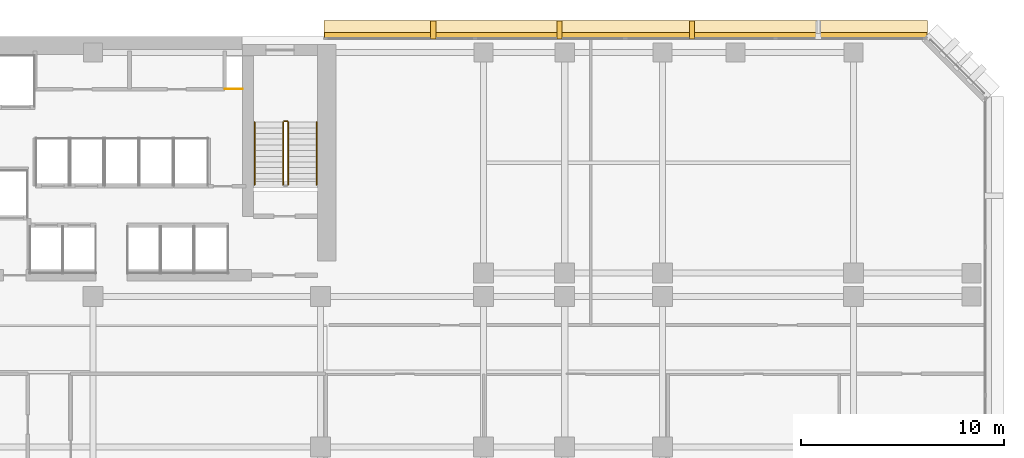
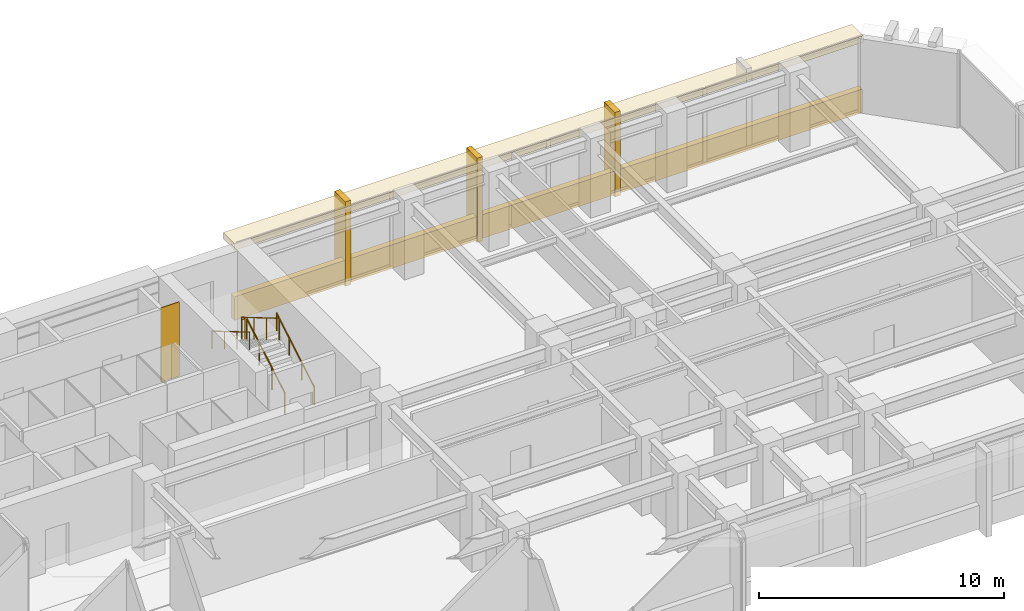
# One storey, part 12 of 13: 6 coverings, 5 railings.
"""IFC4 building model written with IfcOpenShell, lengths in metres."""

from ifc_helpers import new_model, si_unit, direction, frame, origin, origin_2d, place, context, subcontext, project, spatial, polyline, rectangle, circle, outline, extrude, material, layer, layer_set, type_object, element, save


model = new_model("IFC4")

# Units and contexts
model_context = context("Model", 3, precision=1e-05, world=origin(), true_north=direction((0.0, 1.0)))
body_context = subcontext(model_context, "Body", "Model", "MODEL_VIEW")
ifc_project = project(units=[si_unit("LENGTHUNIT", "METRE"), si_unit("AREAUNIT", "SQUARE_METRE"), si_unit("VOLUMEUNIT", "CUBIC_METRE"), si_unit("PLANEANGLEUNIT", "RADIAN"), si_unit("MASSUNIT", "GRAM", prefix="KILO")], contexts=[model_context])

# Site, building, storey
site_placement = place(None, origin())
site = spatial("IfcSite", under=ifc_project, at=site_placement, CompositionType="ELEMENT")
building_placement = place(site_placement, origin())
building = spatial("IfcBuilding", under=site, at=building_placement, Name="Kefirva Bronze Tower", CompositionType="ELEMENT")
storey_placement = place(building_placement, frame((0.0, 0.0, 54.1201171875)))
storey = spatial("IfcBuildingStorey", under=building, at=storey_placement, Name="L12", CompositionType="ELEMENT", Elevation=54.1201171875)

# Coverings
ifc_material_1 = material(Name="Bronze anodised aluminium", Category="aluminium")
ifc_layer_1 = layer(ifc_material_1, 0.02001953125, Name="Bronze anodised aluminium")
ifc_layer_set_1 = layer_set([ifc_layer_1], Name="Bronze anodised aluminium")
covering_type_1 = type_object("IfcCoveringType", Name="Anodised Bronze Spandrel Cladding 20mm", PredefinedType="CLADDING", material=ifc_layer_set_1)
covering_1_placement = place(storey_placement, frame((38.202392578125, 46.0400390625, -0.16015625), z_axis=(0.0, 0.0, 1.0), x_axis=(-1.0, 0.0, 0.0)))
element("IfcCovering", 1, at=covering_1_placement, inside=storey, type_object=covering_type_1, Name="L12 Streamline Horizontal Spandrel Band 8", PredefinedType="CLADDING", context=body_context, shape_type="SweptSolid", body=[
    extrude(rectangle(XDim=29.635009765625, YDim=0.280029296875, at=origin_2d()), origin(), (0.0, 0.0, 1.0), 1.179931640625),
])
covering_2_placement = place(storey_placement, origin())
element("IfcCovering", 2, at=covering_2_placement, inside=storey, type_object=covering_type_1, Name="L12 Core MEP Riser Shaft Liner South", PredefinedType="CLADDING", context=body_context, shape_type="SweptSolid", body=[
    extrude(outline(polyline([(18.47998046875, 43.39990234375), (19.360107421875, 43.39990234375), (19.360107421875, 43.429931640625), (18.47998046875, 43.429931640625), (18.47998046875, 43.39990234375)])), origin(), (0.0, 0.0, 1.0), 3.7099609375),
])

# Railings
ifc_material_2 = material(Name="Stainless steel 316", Category="steel")
railing_type_1 = type_object("IfcRailingType", Name="Interior Stair Guardrail 1100mm", PredefinedType="GUARDRAIL", material=ifc_material_2)
railing_1_placement = place(storey_placement, frame((21.60009765625, 38.699951171875, 0.164794921875)))
element("IfcRailing", 3, at=railing_1_placement, inside=storey, type_object=railing_type_1, Name="L12 ST-2 stair guard 1", PredefinedType="GUARDRAIL", context=body_context, shape_type="SweptSolid", body=[
    extrude(circle(Radius=0.02392578125, at=origin_2d()), frame((0.0, 0.0, 1.076171875), z_axis=(0.0, 0.861521393093, 0.507721271215), x_axis=(-1.0, 0.0, 0.0)), (0.0, 0.0, 1.0), 3.5751953125),
    extrude(circle(Radius=0.02099609375, at=origin_2d()), origin(), (0.0, 0.0, 1.0), 1.052001953125),
    extrude(circle(Radius=0.02099609375, at=origin_2d()), frame((0.0, 1.026611328125, 0.60498046875)), (0.0, 0.0, 1.0), 1.052001953125),
    extrude(circle(Radius=0.02099609375, at=origin_2d()), frame((0.0, 2.053466796875, 1.210205078125)), (0.0, 0.0, 1.0), 1.052001953125),
    extrude(circle(Radius=0.02099609375, at=origin_2d()), frame((0.0, 3.080078125, 1.815185546875)), (0.0, 0.0, 1.0), 1.052001953125),
])
railing_2_placement = place(storey_placement, frame((21.550048828125, 41.830078125, 1.97998046875)))
element("IfcRailing", 4, at=railing_2_placement, inside=storey, type_object=railing_type_1, Name="L12 ST-2 stair guard 2", PredefinedType="GUARDRAIL", context=body_context, shape_type="SweptSolid", body=[
    extrude(circle(Radius=0.02392578125, at=origin_2d()), frame((0.0, 0.0, 1.076171875), z_axis=(-1.0, 0.0, 0.0), x_axis=(0.0, -1.0, 0.0)), (0.0, 0.0, 1.0), 0.150146484375),
    extrude(circle(Radius=0.02099609375, at=origin_2d()), origin(), (0.0, 0.0, 1.0), 1.052001953125),
    extrude(circle(Radius=0.02099609375, at=origin_2d()), frame((-0.150146484375, 0.0, 0.0)), (0.0, 0.0, 1.0), 1.052001953125),
])
railing_3_placement = place(storey_placement, frame((21.35009765625, 41.780029296875, 2.144775390625)))
element("IfcRailing", 5, at=railing_3_placement, inside=storey, type_object=railing_type_1, Name="L12 ST-2 stair guard 3", PredefinedType="GUARDRAIL", context=body_context, shape_type="SweptSolid", body=[
    extrude(circle(Radius=0.02392578125, at=origin_2d()), frame((0.0, 0.0, 1.076171875), z_axis=(0.0, -0.861521393093, 0.507721271215), x_axis=(1.0, 0.0, 0.0)), (0.0, 0.0, 1.0), 3.5751953125),
    extrude(circle(Radius=0.02099609375, at=origin_2d()), origin(), (0.0, 0.0, 1.0), 1.052001953125),
    extrude(circle(Radius=0.02099609375, at=origin_2d()), frame((0.0, -1.026611328125, 0.60498046875)), (0.0, 0.0, 1.0), 1.052001953125),
    extrude(circle(Radius=0.02099609375, at=origin_2d()), frame((0.0, -2.053466796875, 1.210205078125)), (0.0, 0.0, 1.0), 1.052001953125),
    extrude(circle(Radius=0.02099609375, at=origin_2d()), frame((0.0, -3.080078125, 1.815185546875)), (0.0, 0.0, 1.0), 1.052001953125),
])
railing_type_2 = type_object("IfcRailingType", Name="Stair Pitch Handrail 900mm", PredefinedType="HANDRAIL", material=ifc_material_2)
railing_4_placement = place(storey_placement, frame((23.0, 38.699951171875, 0.164794921875)))
element("IfcRailing", 6, at=railing_4_placement, inside=storey, type_object=railing_type_2, Name="L12 ST-2 stair handrail 1", PredefinedType="HANDRAIL", context=body_context, shape_type="SweptSolid", body=[
    extrude(circle(Radius=0.02392578125, at=origin_2d()), frame((0.0, 0.0, 0.8759765625), z_axis=(0.0, 0.861521393093, 0.507721271215), x_axis=(-1.0, 0.0, 0.0)), (0.0, 0.0, 1.0), 3.5751953125),
    extrude(circle(Radius=0.02099609375, at=origin_2d()), origin(), (0.0, 0.0, 1.0), 0.851806640625),
    extrude(circle(Radius=0.02099609375, at=origin_2d()), frame((0.0, 1.026611328125, 0.60498046875)), (0.0, 0.0, 1.0), 0.851806640625),
    extrude(circle(Radius=0.02099609375, at=origin_2d()), frame((0.0, 2.053466796875, 1.210205078125)), (0.0, 0.0, 1.0), 0.851806640625),
    extrude(circle(Radius=0.02099609375, at=origin_2d()), frame((0.0, 3.080078125, 1.815185546875)), (0.0, 0.0, 1.0), 0.851806640625),
])
railing_5_placement = place(storey_placement, frame((19.949951171875, 41.780029296875, 2.144775390625)))
element("IfcRailing", 7, at=railing_5_placement, inside=storey, type_object=railing_type_2, Name="L12 ST-2 stair handrail 2", PredefinedType="HANDRAIL", context=body_context, shape_type="SweptSolid", body=[
    extrude(circle(Radius=0.02392578125, at=origin_2d()), frame((0.0, 0.0, 0.8759765625), z_axis=(0.0, -0.861521393093, 0.507721271215), x_axis=(1.0, 0.0, 0.0)), (0.0, 0.0, 1.0), 3.5751953125),
    extrude(circle(Radius=0.02099609375, at=origin_2d()), origin(), (0.0, 0.0, 1.0), 0.851806640625),
    extrude(circle(Radius=0.02099609375, at=origin_2d()), frame((0.0, -1.026611328125, 0.60498046875)), (0.0, 0.0, 1.0), 0.851806640625),
    extrude(circle(Radius=0.02099609375, at=origin_2d()), frame((0.0, -2.053466796875, 1.210205078125)), (0.0, 0.0, 1.0), 0.851806640625),
    extrude(circle(Radius=0.02099609375, at=origin_2d()), frame((0.0, -3.080078125, 1.815185546875)), (0.0, 0.0, 1.0), 0.851806640625),
])

# Coverings
ifc_layer_2 = layer(ifc_material_1, 0.179931640625, Name="Bronze anodised aluminium")
ifc_layer_set_2 = layer_set([ifc_layer_2], Name="Bronze anodised aluminium")
covering_type_2 = type_object("IfcCoveringType", Name="Streamline Bronze Sunshade Eyebrow Cladding 180mm", PredefinedType="CLADDING", material=ifc_layer_set_2)
covering_3_placement = place(storey_placement, frame((38.202392578125, 46.31005859375, 3.3896484375), z_axis=(0.0, 0.0, 1.0), x_axis=(-1.0, 0.0, 0.0)))
element("IfcCovering", 8, at=covering_3_placement, inside=storey, type_object=covering_type_2, Name="L12 Streamline Bronze Sunshade Eyebrow 8", PredefinedType="CLADDING", context=body_context, shape_type="SweptSolid", body=[
    extrude(rectangle(XDim=29.675048828125, YDim=0.93994140625, at=origin_2d()), origin(), (0.0, 0.0, 1.0), 0.320068359375),
])
ifc_layer_3 = layer(ifc_material_1, 0.260009765625, Name="Bronze anodised aluminium")
ifc_layer_set_3 = layer_set([ifc_layer_3], Name="Bronze anodised aluminium")
covering_type_3 = type_object("IfcCoveringType", Name="Unbroken Bronze Buttress Fin Cladding 260mm", PredefinedType="CLADDING", material=ifc_layer_set_3)
for number, where, z_axis, x_axis, name in (
    (9, (41.4580078125, 46.300048828125, -0.25), (0.0, 0.0, 1.0), (-1.0, 0.0, 0.0), "L12 Unbroken Vertical Bronze Rib Fin 20"),
    (10, (34.947021484375, 46.300048828125, -0.25), (0.0, 0.0, 1.0), (-1.0, 0.0, 0.0), "L12 Unbroken Vertical Bronze Rib Fin 21"),
    (11, (28.732177734375, 46.300048828125, -0.25), (0.0, 0.0, 1.0), (-1.0, 0.0, 0.0), "L12 Unbroken Vertical Bronze Rib Fin 22"),
):
    element("IfcCovering", number, at=place(storey_placement, frame(where, z_axis=z_axis, x_axis=x_axis)), inside=storey, type_object=covering_type_3, Name=name, PredefinedType="CLADDING", context=body_context, shape_type="SweptSolid", body=[
        extrude(rectangle(XDim=0.260009765625, YDim=0.8798828125, at=origin_2d()), origin(), (0.0, 0.0, 1.0), 4.2099609375),
    ])

save(model, "model.ifc")
